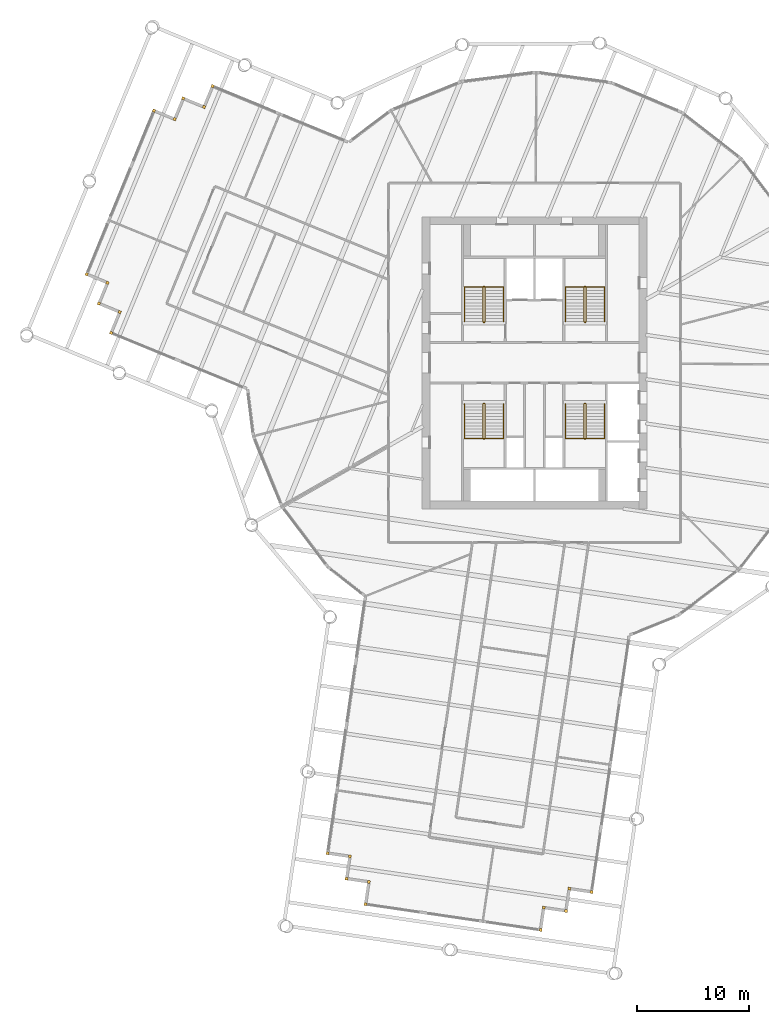
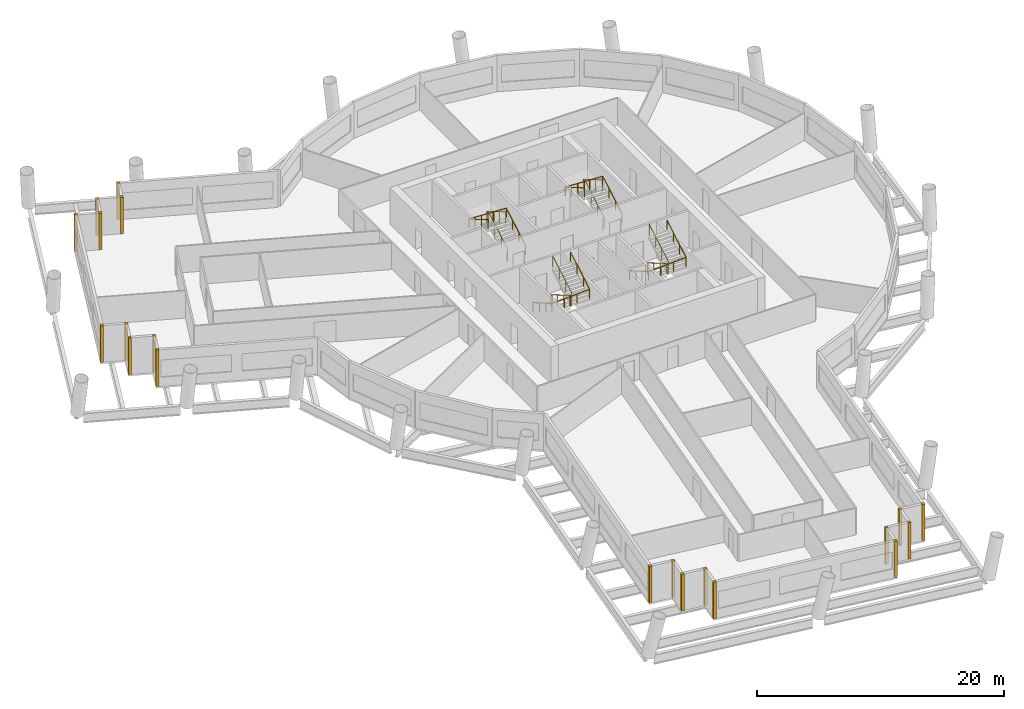
# One storey, part 11 of 11: 20 shading devices, 8 railings.
"""IFC4 building model written with IfcOpenShell, lengths in metres."""

from ifc_helpers import new_model, si_unit, direction, frame, origin, origin_2d, place, context, subcontext, project, spatial, rectangle, circle, extrude, material, type_object, element, save


model = new_model("IFC4")

# Units and contexts
model_context = context("Model", 3, precision=1e-05, world=origin(), true_north=direction((0.0, 1.0)))
body_context = subcontext(model_context, "Body", "Model", "MODEL_VIEW")
ifc_project = project(units=[si_unit("LENGTHUNIT", "METRE"), si_unit("AREAUNIT", "SQUARE_METRE"), si_unit("VOLUMEUNIT", "CUBIC_METRE"), si_unit("PLANEANGLEUNIT", "RADIAN"), si_unit("MASSUNIT", "GRAM", prefix="KILO")], contexts=[model_context])

# Site, building, storey
site_placement = place(None, origin())
site = spatial("IfcSite", under=ifc_project, at=site_placement, CompositionType="ELEMENT")
building_placement = place(site_placement, origin())
building = spatial("IfcBuilding", under=site, at=building_placement, Name="Tarsis Ring Headquarters", CompositionType="ELEMENT")
storey_placement = place(building_placement, frame((0.0, 0.0, 190.5)))
storey = spatial("IfcBuildingStorey", under=building, at=storey_placement, Name="L44", CompositionType="ELEMENT", Elevation=190.5)

# Railings
ifc_material_1 = material(Name="Steel S355", Category="steel")
railing_type_1 = type_object("IfcRailingType", Name="Core stair guard 1100", PredefinedType="GUARDRAIL", material=ifc_material_1)
railing_1_placement = place(storey_placement, frame((-4.5400390625, 3.610107421875, 0.0)))
element("IfcRailing", 1, at=railing_1_placement, inside=storey, type_object=railing_type_1, Name="L44 ST1 stair guard 1", PredefinedType="GUARDRAIL", context=body_context, shape_type="SweptSolid", body=[
    extrude(circle(Radius=0.02392578125, at=origin_2d()), frame((0.0, 0.0, 1.076171875), z_axis=(1.0, 0.0, 0.0), x_axis=(0.0, 1.0, 0.0)), (0.0, 0.0, 1.0), 0.080078125),
    extrude(circle(Radius=0.02392578125, at=origin_2d()), frame((0.080078125, 0.0, 1.076171875), z_axis=(0.282336740067, 0.280959487676, 0.917250092119), x_axis=(-0.705375805398, 0.708833529934, 0.0)), (0.0, 0.0, 1.0), 0.17724609375),
    extrude(circle(Radius=0.02392578125, at=origin_2d()), frame((0.130126953125, 0.0498046875, 1.23876953125), z_axis=(0.0, 0.864920483161, 0.501908913857), x_axis=(-1.0, 0.0, 0.0)), (0.0, 0.0, 1.0), 3.56103515625),
    extrude(circle(Radius=0.02392578125, at=origin_2d()), frame((0.130126953125, 3.1298828125, 3.02587890625), z_axis=(-0.707106781187, 0.707106781187, 0.0), x_axis=(-0.707106781187, -0.707106781187, 0.0)), (0.0, 0.0, 1.0), 0.07080078125),
    extrude(circle(Radius=0.02392578125, at=origin_2d()), frame((0.080078125, 3.179931640625, 3.02587890625), z_axis=(-1.0, 0.0, 0.0), x_axis=(0.0, -1.0, 0.0)), (0.0, 0.0, 1.0), 0.080078125),
    extrude(circle(Radius=0.02392578125, at=origin_2d()), frame((0.0, 3.179931640625, 3.02587890625), z_axis=(-0.282227285176, -0.282227285176, 0.916894497205), x_axis=(0.707106781187, -0.707106781187, 0.0)), (0.0, 0.0, 1.0), 0.17724609375),
    extrude(circle(Radius=0.02392578125, at=origin_2d()), frame((-0.050048828125, 3.1298828125, 3.1884765625), z_axis=(0.0, -0.864920483161, 0.501908913857), x_axis=(1.0, 0.0, 0.0)), (0.0, 0.0, 1.0), 3.56103515625),
    extrude(circle(Radius=0.02099609375, at=origin_2d()), origin(), (0.0, 0.0, 1.0), 1.052001953125),
    extrude(circle(Radius=0.02099609375, at=origin_2d()), frame((0.080078125, 0.0, 0.0)), (0.0, 0.0, 1.0), 1.052001953125),
    extrude(circle(Radius=0.02099609375, at=origin_2d()), frame((0.130126953125, 0.0498046875, 0.16259765625)), (0.0, 0.0, 1.0), 1.052001953125),
    extrude(circle(Radius=0.02099609375, at=origin_2d()), frame((0.130126953125, 1.076416015625, 0.75830078125)), (0.0, 0.0, 1.0), 1.052001953125),
    extrude(circle(Radius=0.02099609375, at=origin_2d()), frame((0.130126953125, 2.103271484375, 1.354248046875)), (0.0, 0.0, 1.0), 1.052001953125),
    extrude(circle(Radius=0.02099609375, at=origin_2d()), frame((0.130126953125, 3.1298828125, 1.949951171875)), (0.0, 0.0, 1.0), 1.052001953125),
    extrude(circle(Radius=0.02099609375, at=origin_2d()), frame((0.080078125, 3.179931640625, 1.949951171875)), (0.0, 0.0, 1.0), 1.052001953125),
    extrude(circle(Radius=0.02099609375, at=origin_2d()), frame((0.0, 3.179931640625, 1.949951171875)), (0.0, 0.0, 1.0), 1.052001953125),
    extrude(circle(Radius=0.02099609375, at=origin_2d()), frame((-0.050048828125, 3.1298828125, 2.112548828125)), (0.0, 0.0, 1.0), 1.052001953125),
    extrude(circle(Radius=0.02099609375, at=origin_2d()), frame((-0.050048828125, 2.103271484375, 2.708251953125)), (0.0, 0.0, 1.0), 1.052001953125),
    extrude(circle(Radius=0.02099609375, at=origin_2d()), frame((-0.050048828125, 1.076416015625, 3.30419921875)), (0.0, 0.0, 1.0), 1.052001953125),
    extrude(circle(Radius=0.02099609375, at=origin_2d()), frame((-0.050048828125, 0.0498046875, 3.89990234375)), (0.0, 0.0, 1.0), 1.052001953125),
])
railing_2_placement = place(storey_placement, frame((4.4599609375, 3.610107421875, 0.0)))
element("IfcRailing", 2, at=railing_2_placement, inside=storey, type_object=railing_type_1, Name="L44 ST2 stair guard 1", PredefinedType="GUARDRAIL", context=body_context, shape_type="SweptSolid", body=[
    extrude(circle(Radius=0.02392578125, at=origin_2d()), frame((0.0, 0.0, 1.076171875), z_axis=(1.0, 0.0, 0.0), x_axis=(0.0, 1.0, 0.0)), (0.0, 0.0, 1.0), 0.080078125),
    extrude(circle(Radius=0.02392578125, at=origin_2d()), frame((0.080078125, 0.0, 1.076171875), z_axis=(0.282336740067, 0.280959487676, 0.917250092119), x_axis=(-0.705375805398, 0.708833529934, 0.0)), (0.0, 0.0, 1.0), 0.17724609375),
    extrude(circle(Radius=0.02392578125, at=origin_2d()), frame((0.130126953125, 0.0498046875, 1.23876953125), z_axis=(0.0, 0.864920483161, 0.501908913857), x_axis=(-1.0, 0.0, 0.0)), (0.0, 0.0, 1.0), 3.56103515625),
    extrude(circle(Radius=0.02392578125, at=origin_2d()), frame((0.130126953125, 3.1298828125, 3.02587890625), z_axis=(-0.707106781187, 0.707106781187, 0.0), x_axis=(-0.707106781187, -0.707106781187, 0.0)), (0.0, 0.0, 1.0), 0.07080078125),
    extrude(circle(Radius=0.02392578125, at=origin_2d()), frame((0.080078125, 3.179931640625, 3.02587890625), z_axis=(-1.0, 0.0, 0.0), x_axis=(0.0, -1.0, 0.0)), (0.0, 0.0, 1.0), 0.080078125),
    extrude(circle(Radius=0.02392578125, at=origin_2d()), frame((0.0, 3.179931640625, 3.02587890625), z_axis=(-0.282227285176, -0.282227285176, 0.916894497205), x_axis=(0.707106781187, -0.707106781187, 0.0)), (0.0, 0.0, 1.0), 0.17724609375),
    extrude(circle(Radius=0.02392578125, at=origin_2d()), frame((-0.050048828125, 3.1298828125, 3.1884765625), z_axis=(0.0, -0.864920483161, 0.501908913857), x_axis=(1.0, 0.0, 0.0)), (0.0, 0.0, 1.0), 3.56103515625),
    extrude(circle(Radius=0.02099609375, at=origin_2d()), origin(), (0.0, 0.0, 1.0), 1.052001953125),
    extrude(circle(Radius=0.02099609375, at=origin_2d()), frame((0.080078125, 0.0, 0.0)), (0.0, 0.0, 1.0), 1.052001953125),
    extrude(circle(Radius=0.02099609375, at=origin_2d()), frame((0.130126953125, 0.0498046875, 0.16259765625)), (0.0, 0.0, 1.0), 1.052001953125),
    extrude(circle(Radius=0.02099609375, at=origin_2d()), frame((0.130126953125, 1.076416015625, 0.75830078125)), (0.0, 0.0, 1.0), 1.052001953125),
    extrude(circle(Radius=0.02099609375, at=origin_2d()), frame((0.130126953125, 2.103271484375, 1.354248046875)), (0.0, 0.0, 1.0), 1.052001953125),
    extrude(circle(Radius=0.02099609375, at=origin_2d()), frame((0.130126953125, 3.1298828125, 1.949951171875)), (0.0, 0.0, 1.0), 1.052001953125),
    extrude(circle(Radius=0.02099609375, at=origin_2d()), frame((0.080078125, 3.179931640625, 1.949951171875)), (0.0, 0.0, 1.0), 1.052001953125),
    extrude(circle(Radius=0.02099609375, at=origin_2d()), frame((0.0, 3.179931640625, 1.949951171875)), (0.0, 0.0, 1.0), 1.052001953125),
    extrude(circle(Radius=0.02099609375, at=origin_2d()), frame((-0.050048828125, 3.1298828125, 2.112548828125)), (0.0, 0.0, 1.0), 1.052001953125),
    extrude(circle(Radius=0.02099609375, at=origin_2d()), frame((-0.050048828125, 2.103271484375, 2.708251953125)), (0.0, 0.0, 1.0), 1.052001953125),
    extrude(circle(Radius=0.02099609375, at=origin_2d()), frame((-0.050048828125, 1.076416015625, 3.30419921875)), (0.0, 0.0, 1.0), 1.052001953125),
    extrude(circle(Radius=0.02099609375, at=origin_2d()), frame((-0.050048828125, 0.0498046875, 3.89990234375)), (0.0, 0.0, 1.0), 1.052001953125),
])
railing_3_placement = place(storey_placement, frame((-4.4599609375, -3.610107421875, 0.0)))
element("IfcRailing", 3, at=railing_3_placement, inside=storey, type_object=railing_type_1, Name="L44 ST3 stair guard 1", PredefinedType="GUARDRAIL", context=body_context, shape_type="SweptSolid", body=[
    extrude(circle(Radius=0.02392578125, at=origin_2d()), frame((0.0, 0.0, 1.076171875), z_axis=(-1.0, 0.0, 0.0), x_axis=(0.0, -1.0, 0.0)), (0.0, 0.0, 1.0), 0.080078125),
    extrude(circle(Radius=0.02392578125, at=origin_2d()), frame((-0.080078125, 0.0, 1.076171875), z_axis=(-0.282336740067, -0.280959487676, 0.917250092119), x_axis=(0.705375805398, -0.708833529934, 0.0)), (0.0, 0.0, 1.0), 0.17724609375),
    extrude(circle(Radius=0.02392578125, at=origin_2d()), frame((-0.130126953125, -0.0498046875, 1.23876953125), z_axis=(0.0, -0.864920483161, 0.501908913857), x_axis=(1.0, 0.0, 0.0)), (0.0, 0.0, 1.0), 3.56103515625),
    extrude(circle(Radius=0.02392578125, at=origin_2d()), frame((-0.130126953125, -3.1298828125, 3.02587890625), z_axis=(0.707106781187, -0.707106781187, 0.0), x_axis=(0.707106781187, 0.707106781187, 0.0)), (0.0, 0.0, 1.0), 0.07080078125),
    extrude(circle(Radius=0.02392578125, at=origin_2d()), frame((-0.080078125, -3.179931640625, 3.02587890625), z_axis=(1.0, 0.0, 0.0), x_axis=(0.0, 1.0, 0.0)), (0.0, 0.0, 1.0), 0.080078125),
    extrude(circle(Radius=0.02392578125, at=origin_2d()), frame((0.0, -3.179931640625, 3.02587890625), z_axis=(0.282227285176, 0.282227285176, 0.916894497205), x_axis=(-0.707106781187, 0.707106781187, 0.0)), (0.0, 0.0, 1.0), 0.17724609375),
    extrude(circle(Radius=0.02392578125, at=origin_2d()), frame((0.050048828125, -3.1298828125, 3.1884765625), z_axis=(0.0, 0.864920483161, 0.501908913857), x_axis=(-1.0, 0.0, 0.0)), (0.0, 0.0, 1.0), 3.56103515625),
    extrude(circle(Radius=0.02099609375, at=origin_2d()), origin(), (0.0, 0.0, 1.0), 1.052001953125),
    extrude(circle(Radius=0.02099609375, at=origin_2d()), frame((-0.080078125, 0.0, 0.0)), (0.0, 0.0, 1.0), 1.052001953125),
    extrude(circle(Radius=0.02099609375, at=origin_2d()), frame((-0.130126953125, -0.0498046875, 0.16259765625)), (0.0, 0.0, 1.0), 1.052001953125),
    extrude(circle(Radius=0.02099609375, at=origin_2d()), frame((-0.130126953125, -1.076416015625, 0.75830078125)), (0.0, 0.0, 1.0), 1.052001953125),
    extrude(circle(Radius=0.02099609375, at=origin_2d()), frame((-0.130126953125, -2.103271484375, 1.354248046875)), (0.0, 0.0, 1.0), 1.052001953125),
    extrude(circle(Radius=0.02099609375, at=origin_2d()), frame((-0.130126953125, -3.1298828125, 1.949951171875)), (0.0, 0.0, 1.0), 1.052001953125),
    extrude(circle(Radius=0.02099609375, at=origin_2d()), frame((-0.080078125, -3.179931640625, 1.949951171875)), (0.0, 0.0, 1.0), 1.052001953125),
    extrude(circle(Radius=0.02099609375, at=origin_2d()), frame((0.0, -3.179931640625, 1.949951171875)), (0.0, 0.0, 1.0), 1.052001953125),
    extrude(circle(Radius=0.02099609375, at=origin_2d()), frame((0.050048828125, -3.1298828125, 2.112548828125)), (0.0, 0.0, 1.0), 1.052001953125),
    extrude(circle(Radius=0.02099609375, at=origin_2d()), frame((0.050048828125, -2.103271484375, 2.708251953125)), (0.0, 0.0, 1.0), 1.052001953125),
    extrude(circle(Radius=0.02099609375, at=origin_2d()), frame((0.050048828125, -1.076416015625, 3.30419921875)), (0.0, 0.0, 1.0), 1.052001953125),
    extrude(circle(Radius=0.02099609375, at=origin_2d()), frame((0.050048828125, -0.0498046875, 3.89990234375)), (0.0, 0.0, 1.0), 1.052001953125),
])
railing_4_placement = place(storey_placement, frame((4.5400390625, -3.610107421875, 0.0)))
element("IfcRailing", 4, at=railing_4_placement, inside=storey, type_object=railing_type_1, Name="L44 ST4 stair guard 1", PredefinedType="GUARDRAIL", context=body_context, shape_type="SweptSolid", body=[
    extrude(circle(Radius=0.02392578125, at=origin_2d()), frame((0.0, 0.0, 1.076171875), z_axis=(-1.0, 0.0, 0.0), x_axis=(0.0, -1.0, 0.0)), (0.0, 0.0, 1.0), 0.080078125),
    extrude(circle(Radius=0.02392578125, at=origin_2d()), frame((-0.080078125, 0.0, 1.076171875), z_axis=(-0.282336740067, -0.280959487676, 0.917250092119), x_axis=(0.705375805398, -0.708833529934, 0.0)), (0.0, 0.0, 1.0), 0.17724609375),
    extrude(circle(Radius=0.02392578125, at=origin_2d()), frame((-0.130126953125, -0.0498046875, 1.23876953125), z_axis=(0.0, -0.864920483161, 0.501908913857), x_axis=(1.0, 0.0, 0.0)), (0.0, 0.0, 1.0), 3.56103515625),
    extrude(circle(Radius=0.02392578125, at=origin_2d()), frame((-0.130126953125, -3.1298828125, 3.02587890625), z_axis=(0.707106781187, -0.707106781187, 0.0), x_axis=(0.707106781187, 0.707106781187, 0.0)), (0.0, 0.0, 1.0), 0.07080078125),
    extrude(circle(Radius=0.02392578125, at=origin_2d()), frame((-0.080078125, -3.179931640625, 3.02587890625), z_axis=(1.0, 0.0, 0.0), x_axis=(0.0, 1.0, 0.0)), (0.0, 0.0, 1.0), 0.080078125),
    extrude(circle(Radius=0.02392578125, at=origin_2d()), frame((0.0, -3.179931640625, 3.02587890625), z_axis=(0.282227285176, 0.282227285176, 0.916894497205), x_axis=(-0.707106781187, 0.707106781187, 0.0)), (0.0, 0.0, 1.0), 0.17724609375),
    extrude(circle(Radius=0.02392578125, at=origin_2d()), frame((0.050048828125, -3.1298828125, 3.1884765625), z_axis=(0.0, 0.864920483161, 0.501908913857), x_axis=(-1.0, 0.0, 0.0)), (0.0, 0.0, 1.0), 3.56103515625),
    extrude(circle(Radius=0.02099609375, at=origin_2d()), origin(), (0.0, 0.0, 1.0), 1.052001953125),
    extrude(circle(Radius=0.02099609375, at=origin_2d()), frame((-0.080078125, 0.0, 0.0)), (0.0, 0.0, 1.0), 1.052001953125),
    extrude(circle(Radius=0.02099609375, at=origin_2d()), frame((-0.130126953125, -0.0498046875, 0.16259765625)), (0.0, 0.0, 1.0), 1.052001953125),
    extrude(circle(Radius=0.02099609375, at=origin_2d()), frame((-0.130126953125, -1.076416015625, 0.75830078125)), (0.0, 0.0, 1.0), 1.052001953125),
    extrude(circle(Radius=0.02099609375, at=origin_2d()), frame((-0.130126953125, -2.103271484375, 1.354248046875)), (0.0, 0.0, 1.0), 1.052001953125),
    extrude(circle(Radius=0.02099609375, at=origin_2d()), frame((-0.130126953125, -3.1298828125, 1.949951171875)), (0.0, 0.0, 1.0), 1.052001953125),
    extrude(circle(Radius=0.02099609375, at=origin_2d()), frame((-0.080078125, -3.179931640625, 1.949951171875)), (0.0, 0.0, 1.0), 1.052001953125),
    extrude(circle(Radius=0.02099609375, at=origin_2d()), frame((0.0, -3.179931640625, 1.949951171875)), (0.0, 0.0, 1.0), 1.052001953125),
    extrude(circle(Radius=0.02099609375, at=origin_2d()), frame((0.050048828125, -3.1298828125, 2.112548828125)), (0.0, 0.0, 1.0), 1.052001953125),
    extrude(circle(Radius=0.02099609375, at=origin_2d()), frame((0.050048828125, -2.103271484375, 2.708251953125)), (0.0, 0.0, 1.0), 1.052001953125),
    extrude(circle(Radius=0.02099609375, at=origin_2d()), frame((0.050048828125, -1.076416015625, 3.30419921875)), (0.0, 0.0, 1.0), 1.052001953125),
    extrude(circle(Radius=0.02099609375, at=origin_2d()), frame((0.050048828125, -0.0498046875, 3.89990234375)), (0.0, 0.0, 1.0), 1.052001953125),
])
railing_type_2 = type_object("IfcRailingType", Name="Core stair handrail 900", PredefinedType="HANDRAIL", material=ifc_material_1)
railing_5_placement = place(storey_placement, frame((-2.75, 3.659912109375, 0.16259765625)))
element("IfcRailing", 5, at=railing_5_placement, inside=storey, type_object=railing_type_2, Name="L44 ST1 stair handrail 1", PredefinedType="HANDRAIL", context=body_context, shape_type="SweptSolid", body=[
    extrude(circle(Radius=0.02392578125, at=origin_2d()), frame((0.0, 0.0, 0.8759765625), z_axis=(0.0, 0.864920483161, 0.501908913857), x_axis=(-1.0, 0.0, 0.0)), (0.0, 0.0, 1.0), 3.56103515625),
    extrude(circle(Radius=0.02392578125, at=origin_2d()), frame((0.0, 3.080078125, 2.6630859375), z_axis=(-0.998922641604, 0.0, 0.046406422943), x_axis=(0.0, -1.0, 0.0)), (0.0, 0.0, 1.0), 3.503662109375),
    extrude(circle(Radius=0.02392578125, at=origin_2d()), frame((-3.5, 3.080078125, 2.82568359375), z_axis=(0.0, -0.864920483161, 0.501908913857), x_axis=(1.0, 0.0, 0.0)), (0.0, 0.0, 1.0), 3.56103515625),
    extrude(circle(Radius=0.02099609375, at=origin_2d()), origin(), (0.0, 0.0, 1.0), 0.851806640625),
    extrude(circle(Radius=0.02099609375, at=origin_2d()), frame((0.0, 1.026611328125, 0.595703125)), (0.0, 0.0, 1.0), 0.851806640625),
    extrude(circle(Radius=0.02099609375, at=origin_2d()), frame((0.0, 2.053466796875, 1.191650390625)), (0.0, 0.0, 1.0), 0.851806640625),
    extrude(circle(Radius=0.02099609375, at=origin_2d()), frame((0.0, 3.080078125, 1.787353515625)), (0.0, 0.0, 1.0), 0.851806640625),
    extrude(circle(Radius=0.02099609375, at=origin_2d()), frame((-1.166748046875, 3.080078125, 1.841552734375)), (0.0, 0.0, 1.0), 0.851806640625),
    extrude(circle(Radius=0.02099609375, at=origin_2d()), frame((-2.333251953125, 3.080078125, 1.895751953125)), (0.0, 0.0, 1.0), 0.851806640625),
    extrude(circle(Radius=0.02099609375, at=origin_2d()), frame((-3.5, 3.080078125, 1.949951171875)), (0.0, 0.0, 1.0), 0.851806640625),
    extrude(circle(Radius=0.02099609375, at=origin_2d()), frame((-3.5, 2.053466796875, 2.545654296875)), (0.0, 0.0, 1.0), 0.851806640625),
    extrude(circle(Radius=0.02099609375, at=origin_2d()), frame((-3.5, 1.026611328125, 3.1416015625)), (0.0, 0.0, 1.0), 0.851806640625),
    extrude(circle(Radius=0.02099609375, at=origin_2d()), frame((-3.5, 0.0, 3.7373046875)), (0.0, 0.0, 1.0), 0.851806640625),
])
railing_6_placement = place(storey_placement, frame((6.25, 3.659912109375, 0.16259765625)))
element("IfcRailing", 6, at=railing_6_placement, inside=storey, type_object=railing_type_2, Name="L44 ST2 stair handrail 1", PredefinedType="HANDRAIL", context=body_context, shape_type="SweptSolid", body=[
    extrude(circle(Radius=0.02392578125, at=origin_2d()), frame((0.0, 0.0, 0.8759765625), z_axis=(0.0, 0.864920483161, 0.501908913857), x_axis=(-1.0, 0.0, 0.0)), (0.0, 0.0, 1.0), 3.56103515625),
    extrude(circle(Radius=0.02392578125, at=origin_2d()), frame((0.0, 3.080078125, 2.6630859375), z_axis=(-0.998922641604, 0.0, 0.046406422943), x_axis=(0.0, -1.0, 0.0)), (0.0, 0.0, 1.0), 3.503662109375),
    extrude(circle(Radius=0.02392578125, at=origin_2d()), frame((-3.5, 3.080078125, 2.82568359375), z_axis=(0.0, -0.864920483161, 0.501908913857), x_axis=(1.0, 0.0, 0.0)), (0.0, 0.0, 1.0), 3.56103515625),
    extrude(circle(Radius=0.02099609375, at=origin_2d()), origin(), (0.0, 0.0, 1.0), 0.851806640625),
    extrude(circle(Radius=0.02099609375, at=origin_2d()), frame((0.0, 1.026611328125, 0.595703125)), (0.0, 0.0, 1.0), 0.851806640625),
    extrude(circle(Radius=0.02099609375, at=origin_2d()), frame((0.0, 2.053466796875, 1.191650390625)), (0.0, 0.0, 1.0), 0.851806640625),
    extrude(circle(Radius=0.02099609375, at=origin_2d()), frame((0.0, 3.080078125, 1.787353515625)), (0.0, 0.0, 1.0), 0.851806640625),
    extrude(circle(Radius=0.02099609375, at=origin_2d()), frame((-1.166748046875, 3.080078125, 1.841552734375)), (0.0, 0.0, 1.0), 0.851806640625),
    extrude(circle(Radius=0.02099609375, at=origin_2d()), frame((-2.333251953125, 3.080078125, 1.895751953125)), (0.0, 0.0, 1.0), 0.851806640625),
    extrude(circle(Radius=0.02099609375, at=origin_2d()), frame((-3.5, 3.080078125, 1.949951171875)), (0.0, 0.0, 1.0), 0.851806640625),
    extrude(circle(Radius=0.02099609375, at=origin_2d()), frame((-3.5, 2.053466796875, 2.545654296875)), (0.0, 0.0, 1.0), 0.851806640625),
    extrude(circle(Radius=0.02099609375, at=origin_2d()), frame((-3.5, 1.026611328125, 3.1416015625)), (0.0, 0.0, 1.0), 0.851806640625),
    extrude(circle(Radius=0.02099609375, at=origin_2d()), frame((-3.5, 0.0, 3.7373046875)), (0.0, 0.0, 1.0), 0.851806640625),
])
railing_7_placement = place(storey_placement, frame((-6.25, -3.659912109375, 0.16259765625)))
element("IfcRailing", 7, at=railing_7_placement, inside=storey, type_object=railing_type_2, Name="L44 ST3 stair handrail 1", PredefinedType="HANDRAIL", context=body_context, shape_type="SweptSolid", body=[
    extrude(circle(Radius=0.02392578125, at=origin_2d()), frame((0.0, 0.0, 0.8759765625), z_axis=(0.0, -0.864920483161, 0.501908913857), x_axis=(1.0, 0.0, 0.0)), (0.0, 0.0, 1.0), 3.56103515625),
    extrude(circle(Radius=0.02392578125, at=origin_2d()), frame((0.0, -3.080078125, 2.6630859375), z_axis=(0.998922641604, 0.0, 0.046406422943), x_axis=(0.0, 1.0, 0.0)), (0.0, 0.0, 1.0), 3.503662109375),
    extrude(circle(Radius=0.02392578125, at=origin_2d()), frame((3.5, -3.080078125, 2.82568359375), z_axis=(0.0, 0.864920483161, 0.501908913857), x_axis=(-1.0, 0.0, 0.0)), (0.0, 0.0, 1.0), 3.56103515625),
    extrude(circle(Radius=0.02099609375, at=origin_2d()), origin(), (0.0, 0.0, 1.0), 0.851806640625),
    extrude(circle(Radius=0.02099609375, at=origin_2d()), frame((0.0, -1.026611328125, 0.595703125)), (0.0, 0.0, 1.0), 0.851806640625),
    extrude(circle(Radius=0.02099609375, at=origin_2d()), frame((0.0, -2.053466796875, 1.191650390625)), (0.0, 0.0, 1.0), 0.851806640625),
    extrude(circle(Radius=0.02099609375, at=origin_2d()), frame((0.0, -3.080078125, 1.787353515625)), (0.0, 0.0, 1.0), 0.851806640625),
    extrude(circle(Radius=0.02099609375, at=origin_2d()), frame((1.166748046875, -3.080078125, 1.841552734375)), (0.0, 0.0, 1.0), 0.851806640625),
    extrude(circle(Radius=0.02099609375, at=origin_2d()), frame((2.333251953125, -3.080078125, 1.895751953125)), (0.0, 0.0, 1.0), 0.851806640625),
    extrude(circle(Radius=0.02099609375, at=origin_2d()), frame((3.5, -3.080078125, 1.949951171875)), (0.0, 0.0, 1.0), 0.851806640625),
    extrude(circle(Radius=0.02099609375, at=origin_2d()), frame((3.5, -2.053466796875, 2.545654296875)), (0.0, 0.0, 1.0), 0.851806640625),
    extrude(circle(Radius=0.02099609375, at=origin_2d()), frame((3.5, -1.026611328125, 3.1416015625)), (0.0, 0.0, 1.0), 0.851806640625),
    extrude(circle(Radius=0.02099609375, at=origin_2d()), frame((3.5, 0.0, 3.7373046875)), (0.0, 0.0, 1.0), 0.851806640625),
])
railing_8_placement = place(storey_placement, frame((2.75, -3.659912109375, 0.16259765625)))
element("IfcRailing", 8, at=railing_8_placement, inside=storey, type_object=railing_type_2, Name="L44 ST4 stair handrail 1", PredefinedType="HANDRAIL", context=body_context, shape_type="SweptSolid", body=[
    extrude(circle(Radius=0.02392578125, at=origin_2d()), frame((0.0, 0.0, 0.8759765625), z_axis=(0.0, -0.864920483161, 0.501908913857), x_axis=(1.0, 0.0, 0.0)), (0.0, 0.0, 1.0), 3.56103515625),
    extrude(circle(Radius=0.02392578125, at=origin_2d()), frame((0.0, -3.080078125, 2.6630859375), z_axis=(0.998922641604, 0.0, 0.046406422943), x_axis=(0.0, 1.0, 0.0)), (0.0, 0.0, 1.0), 3.503662109375),
    extrude(circle(Radius=0.02392578125, at=origin_2d()), frame((3.5, -3.080078125, 2.82568359375), z_axis=(0.0, 0.864920483161, 0.501908913857), x_axis=(-1.0, 0.0, 0.0)), (0.0, 0.0, 1.0), 3.56103515625),
    extrude(circle(Radius=0.02099609375, at=origin_2d()), origin(), (0.0, 0.0, 1.0), 0.851806640625),
    extrude(circle(Radius=0.02099609375, at=origin_2d()), frame((0.0, -1.026611328125, 0.595703125)), (0.0, 0.0, 1.0), 0.851806640625),
    extrude(circle(Radius=0.02099609375, at=origin_2d()), frame((0.0, -2.053466796875, 1.191650390625)), (0.0, 0.0, 1.0), 0.851806640625),
    extrude(circle(Radius=0.02099609375, at=origin_2d()), frame((0.0, -3.080078125, 1.787353515625)), (0.0, 0.0, 1.0), 0.851806640625),
    extrude(circle(Radius=0.02099609375, at=origin_2d()), frame((1.166748046875, -3.080078125, 1.841552734375)), (0.0, 0.0, 1.0), 0.851806640625),
    extrude(circle(Radius=0.02099609375, at=origin_2d()), frame((2.333251953125, -3.080078125, 1.895751953125)), (0.0, 0.0, 1.0), 0.851806640625),
    extrude(circle(Radius=0.02099609375, at=origin_2d()), frame((3.5, -3.080078125, 1.949951171875)), (0.0, 0.0, 1.0), 0.851806640625),
    extrude(circle(Radius=0.02099609375, at=origin_2d()), frame((3.5, -2.053466796875, 2.545654296875)), (0.0, 0.0, 1.0), 0.851806640625),
    extrude(circle(Radius=0.02099609375, at=origin_2d()), frame((3.5, -1.026611328125, 3.1416015625)), (0.0, 0.0, 1.0), 0.851806640625),
    extrude(circle(Radius=0.02099609375, at=origin_2d()), frame((3.5, 0.0, 3.7373046875)), (0.0, 0.0, 1.0), 0.851806640625),
])

# Shading devices
ifc_material_2 = material(Name="Terracotta baguette", Category="masonry")
shading_device_type = type_object("IfcShadingDeviceType", Name="Terracotta corner baguette 250x250", PredefinedType="USERDEFINED", material=ifc_material_2)
for number, where, z_axis, x_axis, name in (
    (9, (-37.695068359375, 2.66552734375, 0.0), (0.0, 0.0, 1.0), (-0.380424489682, -0.924811985027, 0.0), "Corner baguette L44-01"),
    (10, (-18.418701171875, -43.660888671875, 0.0), (0.0, 0.0, 1.0), (-0.145392350643, -0.989374077068, 0.0), "Corner baguette L44-07"),
    (11, (-16.43994140625, -43.951904296875, 0.0), (0.0, 0.0, 1.0), (0.98937405423, -0.145392506053, 0.0), "Corner baguette L44-08"),
    (12, (-16.730712890625, -45.930419921875, 0.0), (0.0, 0.0, 1.0), (-0.145392506053, -0.98937405423, 0.0), "Corner baguette L44-09"),
    (13, (-14.751953125, -46.221435546875, 0.0), (0.0, 0.0, 1.0), (0.98937405423, -0.145392506053, 0.0), "Corner baguette L44-10"),
    (14, (-15.042724609375, -48.199951171875, 0.0), (0.0, 0.0, 1.0), (-0.145392022554, -0.989374125282, 0.0), "Corner baguette L44-11"),
    (15, (0.539794921875, -50.489990234375, 0.0), (0.0, 0.0, 1.0), (0.989374082143, -0.145392316107, 0.0), "Corner baguette L44-12"),
    (16, (0.83056640625, -48.51123046875, 0.0), (0.0, 0.0, 1.0), (0.145392575124, 0.98937404408, 0.0), "Corner baguette L44-13"),
    (17, (2.809326171875, -48.802001953125, 0.0), (0.0, 0.0, 1.0), (0.989374125282, -0.145392022554, 0.0), "Corner baguette L44-14"),
    (18, (3.10009765625, -46.8232421875, 0.0), (0.0, 0.0, 1.0), (0.145392506053, 0.98937405423, 0.0), "Corner baguette L44-15"),
    (19, (5.078857421875, -47.114013671875, 0.0), (0.0, 0.0, 1.0), (0.98937404408, -0.145392575124, 0.0), "Corner baguette L44-16"),
    (20, (-28.66015625, 24.6298828125, 0.0), (0.0, 0.0, 1.0), (-0.924811858874, 0.380424796361, 0.0), "Corner baguette L44-32"),
    (21, (-29.4208984375, 22.7802734375, 0.0), (0.0, 0.0, 1.0), (-0.380424925489, -0.924811805756, 0.0), "Corner baguette L44-33"),
    (22, (-31.2705078125, 23.541015625, 0.0), (0.0, 0.0, 1.0), (-0.924811911991, 0.380424667233, 0.0), "Corner baguette L44-34"),
    (23, (-32.031494140625, 21.69140625, 0.0), (0.0, 0.0, 1.0), (-0.380424667233, -0.924811911991, 0.0), "Corner baguette L44-35"),
    (24, (-33.881103515625, 22.452392578125, 0.0), (0.0, 0.0, 1.0), (-0.924811805756, 0.380424925489, 0.0), "Corner baguette L44-36"),
    (25, (-39.872802734375, 7.886474609375, 0.0), (0.0, 0.0, 1.0), (-0.380424812502, -0.924811852234, 0.0), "Corner baguette L44-37"),
    (26, (-38.023193359375, 7.125732421875, 0.0), (0.0, 0.0, 1.0), (0.924811911991, -0.380424667233, 0.0), "Corner baguette L44-38"),
    (27, (-38.783935546875, 5.276123046875, 0.0), (0.0, 0.0, 1.0), (-0.380424925489, -0.924811805756, 0.0), "Corner baguette L44-39"),
    (28, (-36.934326171875, 4.51513671875, 0.0), (0.0, 0.0, 1.0), (0.924811805756, -0.380424925489, 0.0), "Corner baguette L44-40"),
):
    element("IfcShadingDevice", number, at=place(storey_placement, frame(where, z_axis=z_axis, x_axis=x_axis)), inside=storey, type_object=shading_device_type, Name=name, ObjectType="Terracotta corner baguette", PredefinedType="USERDEFINED", context=body_context, shape_type="SweptSolid", body=[
        extrude(rectangle(XDim=0.25, YDim=0.25, at=origin_2d()), origin(), (0.0, 0.0, 1.0), 3.60009765625),
    ])

save(model, "model.ifc")
